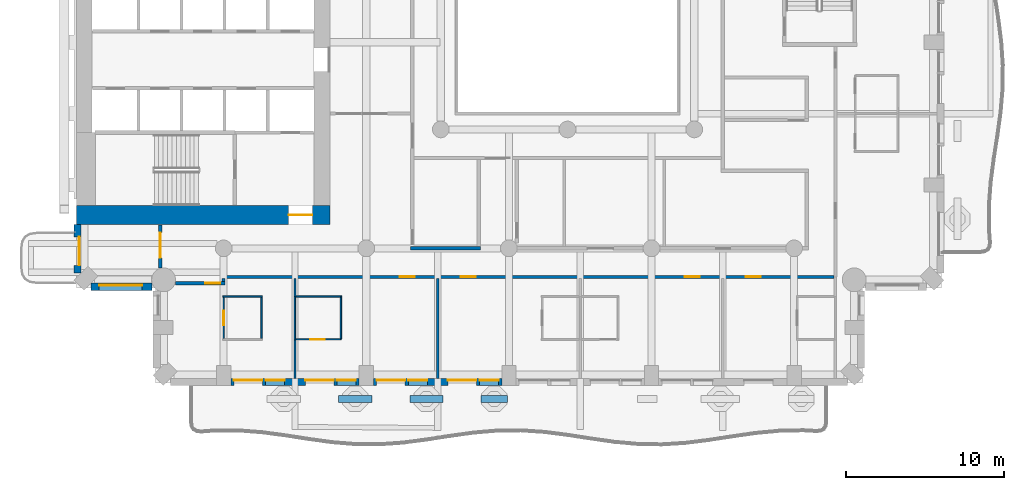
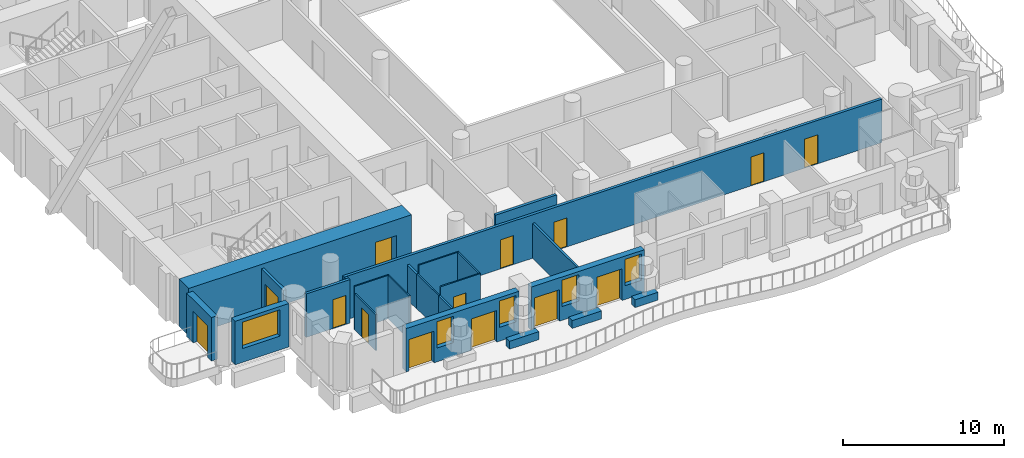
# One storey, part 3 of 21: 23 walls, 14 doors, 5 windows, 19 openings.
"""IFC4 building model written with IfcOpenShell, lengths in metres."""

from ifc_helpers import new_model, si_unit, direction, frame, frame_2d, origin, place, context, subcontext, project, spatial, rectangle, extrude, material, layer, layer_set, type_object, element, fill, save


model = new_model("IFC4")

# Units and contexts
model_context = context("Model", 3, precision=1e-05, world=origin(), true_north=direction((0.0, 1.0)))
body_context = subcontext(model_context, "Body", "Model", "MODEL_VIEW")
ifc_project = project(units=[si_unit("LENGTHUNIT", "METRE"), si_unit("AREAUNIT", "SQUARE_METRE"), si_unit("VOLUMEUNIT", "CUBIC_METRE"), si_unit("PLANEANGLEUNIT", "RADIAN"), si_unit("MASSUNIT", "GRAM", prefix="KILO")], contexts=[model_context])

# Site, building, storey
site_placement = place(None, origin())
site = spatial("IfcSite", under=ifc_project, at=site_placement, CompositionType="ELEMENT")
building_placement = place(site_placement, origin())
building = spatial("IfcBuilding", under=site, at=building_placement, Name="Cypress Arch Tower", CompositionType="ELEMENT")
storey_placement = place(building_placement, frame((0.0, 0.0, 127.5)))
storey = spatial("IfcBuildingStorey", under=building, at=storey_placement, Name="L27", CompositionType="ELEMENT", Elevation=127.5)

# Walls
ifc_material_1 = material(Name="Concrete C40/50, waterproofed", Category="concrete")
ifc_layer_1 = layer(ifc_material_1, 0.449951171875)
ifc_layer_set_1 = layer_set([ifc_layer_1], Name="Balcony planter wall PW450")
wall_type_1 = type_object("IfcWallType", Name="Balcony planter wall PW450", PredefinedType="SOLIDWALL", material=ifc_layer_set_1)
for number, where, z_axis, x_axis, name in (
    (1, (-13.449951171875, -27.0, 0.0), (0.0, 0.0, 1.0), (1.0, 0.0, 0.0), "Balcony planter wall L27-A03.2"),
    (2, (-8.949951171875, -27.0, 0.0), (0.0, 0.0, 1.0), (1.0, 0.0, 0.0), "Balcony planter wall L27-A03.3"),
):
    element("IfcWall", number, at=place(storey_placement, frame(where, z_axis=z_axis, x_axis=x_axis)), inside=storey, type_object=wall_type_1, Name=name, PredefinedType="SOLIDWALL", context=body_context, shape_type="SweptSolid", body=[
        extrude(rectangle(XDim=2.099853515625, YDim=0.449951171875, at=frame_2d((1.0498046875, 0.0))), origin(), (0.0, 0.0, 1.0), 0.60009765625),
    ])
wall_1_placement = place(storey_placement, frame((-4.449951171875, -27.0, 0.0), z_axis=(0.0, 0.0, 1.0), x_axis=(1.0, 0.0, 0.0)))
element("IfcWall", 3, at=wall_1_placement, inside=storey, type_object=wall_type_1, Name="Balcony planter wall L27-A03.4", PredefinedType="SOLIDWALL", context=body_context, shape_type="SweptSolid", body=[
    extrude(rectangle(XDim=1.64990234375, YDim=0.449951171875, at=frame_2d((0.824951171875, 0.0))), origin(), (0.0, 0.0, 1.0), 0.60009765625),
])

# Wall, opening, door
ifc_material_2 = material(Name="Brick (red buff blend)", Category="masonry")
ifc_layer_2 = layer(ifc_material_2, 0.449951171875)
ifc_layer_set_2 = layer_set([ifc_layer_2], Name="Brick pier and spandrel wall BW450")
wall_type_2 = type_object("IfcWallType", Name="Brick pier and spandrel wall BW450", PredefinedType="SOLIDWALL", material=ifc_layer_set_2)
wall_2_placement = place(storey_placement, frame((-29.925048828125, -16.0, 0.0), z_axis=(0.0, 0.0, 1.0), x_axis=(0.0, -1.0, 0.0)))
wall_2 = element("IfcWall", 4, at=wall_2_placement, inside=storey, type_object=wall_type_2, Name="Brick wall L27 A00.0.1", PredefinedType="SOLIDWALL", context=body_context, shape_type="SweptSolid", body=[
    extrude(rectangle(XDim=3.063720703125, YDim=0.449951171875, at=frame_2d((1.53173828125, 0.0))), origin(), (0.0, 0.0, 1.0), 3.300048828125),
])
opening_1_placement = place(wall_2_placement, frame((0.78173828125, 0.0, 0.0)))
opening_1 = element("IfcOpeningElement", 5, at=opening_1_placement, cuts=wall_2, Name="Opening D-L27-A00.0.1.9", PredefinedType="OPENING", context=body_context, shape_type="SweptSolid", body=[
    extrude(rectangle(XDim=1.800048828125, YDim=2.39990234375, at=frame_2d((0.89990234375, 1.199951171875))), frame((0.0, 0.23486328125, 0.0), z_axis=(0.0, -1.0, 0.0), x_axis=(1.0, 0.0, 0.0)), (0.0, 0.0, 1.0), 0.469970703125),
])
ifc_material_3 = material(Name="Anodised aluminium, bronze finish, laminated low-emissivity double glazing, large-missile impact rated", Category="aluminium")
door_type_1 = type_object("IfcDoorType", Name="Balcony sliding door 1800x2400", OperationType="SLIDING_TO_LEFT", PredefinedType="DOOR", material=ifc_material_3)
door_1_placement = place(opening_1_placement, origin())
door_1 = element("IfcDoor", 6, at=door_1_placement, inside=storey, type_object=door_type_1, Name="Balcony door L27 A00.0.1.9", OperationType="SLIDING_TO_LEFT", OverallHeight=2.39990234375, OverallWidth=1.800048828125, PredefinedType="DOOR", context=body_context, shape_type="SweptSolid", body=[
    extrude(rectangle(XDim=1.800048828125, YDim=2.39990234375, at=frame_2d((0.89990234375, 1.199951171875))), frame((0.0, 0.1298828125, 0.0), z_axis=(0.0, -1.0, 0.0), x_axis=(1.0, 0.0, 0.0)), (0.0, 0.0, 1.0), 0.050048828125),
])
fill(opening_1, door_1)

# Wall, opening, window
wall_3_placement = place(storey_placement, frame((-29.063720703125, -19.925048828125, 0.0), z_axis=(0.0, 0.0, 1.0), x_axis=(1.0, 0.0, 0.0)))
wall_3 = element("IfcWall", 7, at=wall_3_placement, inside=storey, type_object=wall_type_2, Name="Brick wall L27 A01.0", PredefinedType="SOLIDWALL", context=body_context, shape_type="SweptSolid", body=[
    extrude(rectangle(XDim=3.856689453125, YDim=0.449951171875, at=frame_2d((1.92822265625, 0.0))), origin(), (0.0, 0.0, 1.0), 3.300048828125),
])
opening_2_placement = place(wall_3_placement, frame((0.513671875, 0.0, 1.050048828125)))
opening_2 = element("IfcOpeningElement", 8, at=opening_2_placement, cuts=wall_3, Name="Opening W270H", PredefinedType="OPENING", context=body_context, shape_type="SweptSolid", body=[
    extrude(rectangle(XDim=2.699951171875, YDim=2.0, at=frame_2d((1.35009765625, 1.0))), frame((0.0, 0.23486328125, 0.0), z_axis=(0.0, -1.0, 0.0), x_axis=(1.0, 0.0, 0.0)), (0.0, 0.0, 1.0), 0.469970703125),
])
ifc_material_4 = material(Name="Anodised aluminium, bronze finish, clear low-emissivity double glazing", Category="aluminium")
window_type_1 = type_object("IfcWindowType", Name="Window Hotel 2700x2000", PartitioningType="SINGLE_PANEL", PredefinedType="WINDOW", material=ifc_material_4)
window_1_placement = place(opening_2_placement, origin())
window_1 = element("IfcWindow", 9, at=window_1_placement, inside=storey, type_object=window_type_1, Name="Window L27 A01.0.1", OverallHeight=2.0, OverallWidth=2.699951171875, PartitioningType="SINGLE_PANEL", PredefinedType="WINDOW", context=body_context, shape_type="SweptSolid", body=[
    extrude(rectangle(XDim=2.699951171875, YDim=2.0, at=frame_2d((1.35009765625, 1.0))), frame((0.0, 0.135009765625, 0.0), z_axis=(0.0, -1.0, 0.0), x_axis=(1.0, 0.0, 0.0)), (0.0, 0.0, 1.0), 0.06005859375),
])
fill(opening_2, window_1)

# Wall, openings, doors, windows
wall_4_placement = place(storey_placement, frame((-20.25, -25.925048828125, 0.0), z_axis=(0.0, 0.0, 1.0), x_axis=(1.0, 0.0, 0.0)))
wall_4 = element("IfcWall", 10, at=wall_4_placement, inside=storey, type_object=wall_type_2, Name="Brick wall L27 A03.1", PredefinedType="SOLIDWALL", context=body_context, shape_type="SweptSolid", body=[
    extrude(rectangle(XDim=8.10009765625, YDim=0.449951171875, at=frame_2d((4.050048828125, 0.0))), origin(), (0.0, 0.0, 1.0), 3.300048828125),
])
opening_3_placement = place(wall_4_placement, frame((0.199951171875, 0.0, 0.0)))
opening_3 = element("IfcOpeningElement", 11, at=opening_3_placement, cuts=wall_4, Name="Opening D-L27-A03.1.1", PredefinedType="OPENING", context=body_context, shape_type="SweptSolid", body=[
    extrude(rectangle(XDim=1.800048828125, YDim=2.39990234375, at=frame_2d((0.89990234375, 1.199951171875))), frame((0.0, 0.23486328125, 0.0), z_axis=(0.0, -1.0, 0.0), x_axis=(1.0, 0.0, 0.0)), (0.0, 0.0, 1.0), 0.469970703125),
])
opening_4_placement = place(wall_4_placement, frame((2.199951171875, 0.0, 1.050048828125)))
opening_4 = element("IfcOpeningElement", 12, at=opening_4_placement, cuts=wall_4, Name="Opening W120HD", PredefinedType="OPENING", context=body_context, shape_type="SweptSolid", body=[
    extrude(rectangle(XDim=1.199951171875, YDim=2.0, at=frame_2d((0.60009765625, 1.0))), frame((0.0, 0.23486328125, 0.0), z_axis=(0.0, -1.0, 0.0), x_axis=(1.0, 0.0, 0.0)), (0.0, 0.0, 1.0), 0.469970703125),
])
opening_5_placement = place(wall_4_placement, frame((4.699951171875, 0.0, 0.0)))
opening_5 = element("IfcOpeningElement", 13, at=opening_5_placement, cuts=wall_4, Name="Opening D-L27-A03.1.2", PredefinedType="OPENING", context=body_context, shape_type="SweptSolid", body=[
    extrude(rectangle(XDim=1.800048828125, YDim=2.39990234375, at=frame_2d((0.89990234375, 1.199951171875))), frame((0.0, 0.23486328125, 0.0), z_axis=(0.0, -1.0, 0.0), x_axis=(1.0, 0.0, 0.0)), (0.0, 0.0, 1.0), 0.469970703125),
])
opening_6_placement = place(wall_4_placement, frame((6.699951171875, 0.0, 1.050048828125)))
opening_6 = element("IfcOpeningElement", 14, at=opening_6_placement, cuts=wall_4, Name="Opening W120HD", PredefinedType="OPENING", context=body_context, shape_type="SweptSolid", body=[
    extrude(rectangle(XDim=1.199951171875, YDim=2.0, at=frame_2d((0.60009765625, 1.0))), frame((0.0, 0.23486328125, 0.0), z_axis=(0.0, -1.0, 0.0), x_axis=(1.0, 0.0, 0.0)), (0.0, 0.0, 1.0), 0.469970703125),
])
door_2_placement = place(opening_3_placement, origin())
door_2 = element("IfcDoor", 15, at=door_2_placement, inside=storey, type_object=door_type_1, Name="Balcony door L27 A03.1.1", OperationType="SLIDING_TO_LEFT", OverallHeight=2.39990234375, OverallWidth=1.800048828125, PredefinedType="DOOR", context=body_context, shape_type="SweptSolid", body=[
    extrude(rectangle(XDim=1.800048828125, YDim=2.39990234375, at=frame_2d((0.89990234375, 1.199951171875))), frame((0.0, 0.1298828125, 0.0), z_axis=(0.0, -1.0, 0.0), x_axis=(1.0, 0.0, 0.0)), (0.0, 0.0, 1.0), 0.050048828125),
])
fill(opening_3, door_2)
door_3_placement = place(opening_5_placement, origin())
door_3 = element("IfcDoor", 16, at=door_3_placement, inside=storey, type_object=door_type_1, Name="Balcony door L27 A03.1.2", OperationType="SLIDING_TO_LEFT", OverallHeight=2.39990234375, OverallWidth=1.800048828125, PredefinedType="DOOR", context=body_context, shape_type="SweptSolid", body=[
    extrude(rectangle(XDim=1.800048828125, YDim=2.39990234375, at=frame_2d((0.89990234375, 1.199951171875))), frame((0.0, 0.1298828125, 0.0), z_axis=(0.0, -1.0, 0.0), x_axis=(1.0, 0.0, 0.0)), (0.0, 0.0, 1.0), 0.050048828125),
])
fill(opening_5, door_3)
ifc_material_5 = material(Name="Anodised aluminium, bronze finish, laminated low-emissivity double glazing, large-missile impact rated", Category="aluminium")
window_type_2 = type_object("IfcWindowType", Name="Window Hotel 1200x2000 debris-rated", PartitioningType="SINGLE_PANEL", PredefinedType="WINDOW", material=ifc_material_5)
window_2_placement = place(opening_4_placement, origin())
window_2 = element("IfcWindow", 17, at=window_2_placement, inside=storey, type_object=window_type_2, Name="Window L27 A03.1.1", OverallHeight=2.0, OverallWidth=1.199951171875, PartitioningType="SINGLE_PANEL", PredefinedType="WINDOW", context=body_context, shape_type="SweptSolid", body=[
    extrude(rectangle(XDim=1.199951171875, YDim=2.0, at=frame_2d((0.60009765625, 1.0))), frame((0.0, 0.135009765625, 0.0), z_axis=(0.0, -1.0, 0.0), x_axis=(1.0, 0.0, 0.0)), (0.0, 0.0, 1.0), 0.06005859375),
])
fill(opening_4, window_2)
window_3_placement = place(opening_6_placement, origin())
window_3 = element("IfcWindow", 18, at=window_3_placement, inside=storey, type_object=window_type_2, Name="Window L27 A03.1.2", OverallHeight=2.0, OverallWidth=1.199951171875, PartitioningType="SINGLE_PANEL", PredefinedType="WINDOW", context=body_context, shape_type="SweptSolid", body=[
    extrude(rectangle(XDim=1.199951171875, YDim=2.0, at=frame_2d((0.60009765625, 1.0))), frame((0.0, 0.135009765625, 0.0), z_axis=(0.0, -1.0, 0.0), x_axis=(1.0, 0.0, 0.0)), (0.0, 0.0, 1.0), 0.06005859375),
])
fill(opening_6, window_3)

wall_5_placement = place(storey_placement, frame((-11.25, -25.925048828125, 0.0), z_axis=(0.0, 0.0, 1.0), x_axis=(1.0, 0.0, 0.0)))
wall_5 = element("IfcWall", 19, at=wall_5_placement, inside=storey, type_object=wall_type_2, Name="Brick wall L27 A03.2", PredefinedType="SOLIDWALL", context=body_context, shape_type="SweptSolid", body=[
    extrude(rectangle(XDim=8.10009765625, YDim=0.449951171875, at=frame_2d((4.050048828125, 0.0))), origin(), (0.0, 0.0, 1.0), 3.300048828125),
])
opening_7_placement = place(wall_5_placement, frame((0.199951171875, 0.0, 0.0)))
opening_7 = element("IfcOpeningElement", 20, at=opening_7_placement, cuts=wall_5, Name="Opening D-L27-A03.2.1", PredefinedType="OPENING", context=body_context, shape_type="SweptSolid", body=[
    extrude(rectangle(XDim=1.800048828125, YDim=2.39990234375, at=frame_2d((0.89990234375, 1.199951171875))), frame((0.0, 0.23486328125, 0.0), z_axis=(0.0, -1.0, 0.0), x_axis=(1.0, 0.0, 0.0)), (0.0, 0.0, 1.0), 0.469970703125),
])
opening_8_placement = place(wall_5_placement, frame((2.199951171875, 0.0, 1.050048828125)))
opening_8 = element("IfcOpeningElement", 21, at=opening_8_placement, cuts=wall_5, Name="Opening W120HD", PredefinedType="OPENING", context=body_context, shape_type="SweptSolid", body=[
    extrude(rectangle(XDim=1.199951171875, YDim=2.0, at=frame_2d((0.60009765625, 1.0))), frame((0.0, 0.23486328125, 0.0), z_axis=(0.0, -1.0, 0.0), x_axis=(1.0, 0.0, 0.0)), (0.0, 0.0, 1.0), 0.469970703125),
])
opening_9_placement = place(wall_5_placement, frame((4.699951171875, 0.0, 0.0)))
opening_9 = element("IfcOpeningElement", 22, at=opening_9_placement, cuts=wall_5, Name="Opening D-L27-A03.2.2", PredefinedType="OPENING", context=body_context, shape_type="SweptSolid", body=[
    extrude(rectangle(XDim=1.800048828125, YDim=2.39990234375, at=frame_2d((0.89990234375, 1.199951171875))), frame((0.0, 0.23486328125, 0.0), z_axis=(0.0, -1.0, 0.0), x_axis=(1.0, 0.0, 0.0)), (0.0, 0.0, 1.0), 0.469970703125),
])
opening_10_placement = place(wall_5_placement, frame((6.699951171875, 0.0, 1.050048828125)))
opening_10 = element("IfcOpeningElement", 23, at=opening_10_placement, cuts=wall_5, Name="Opening W120HD", PredefinedType="OPENING", context=body_context, shape_type="SweptSolid", body=[
    extrude(rectangle(XDim=1.199951171875, YDim=2.0, at=frame_2d((0.60009765625, 1.0))), frame((0.0, 0.23486328125, 0.0), z_axis=(0.0, -1.0, 0.0), x_axis=(1.0, 0.0, 0.0)), (0.0, 0.0, 1.0), 0.469970703125),
])
door_4_placement = place(opening_7_placement, origin())
door_4 = element("IfcDoor", 24, at=door_4_placement, inside=storey, type_object=door_type_1, Name="Balcony door L27 A03.2.1", OperationType="SLIDING_TO_LEFT", OverallHeight=2.39990234375, OverallWidth=1.800048828125, PredefinedType="DOOR", context=body_context, shape_type="SweptSolid", body=[
    extrude(rectangle(XDim=1.800048828125, YDim=2.39990234375, at=frame_2d((0.89990234375, 1.199951171875))), frame((0.0, 0.1298828125, 0.0), z_axis=(0.0, -1.0, 0.0), x_axis=(1.0, 0.0, 0.0)), (0.0, 0.0, 1.0), 0.050048828125),
])
fill(opening_7, door_4)
door_5_placement = place(opening_9_placement, origin())
door_5 = element("IfcDoor", 25, at=door_5_placement, inside=storey, type_object=door_type_1, Name="Balcony door L27 A03.2.2", OperationType="SLIDING_TO_LEFT", OverallHeight=2.39990234375, OverallWidth=1.800048828125, PredefinedType="DOOR", context=body_context, shape_type="SweptSolid", body=[
    extrude(rectangle(XDim=1.800048828125, YDim=2.39990234375, at=frame_2d((0.89990234375, 1.199951171875))), frame((0.0, 0.1298828125, 0.0), z_axis=(0.0, -1.0, 0.0), x_axis=(1.0, 0.0, 0.0)), (0.0, 0.0, 1.0), 0.050048828125),
])
fill(opening_9, door_5)
window_4_placement = place(opening_8_placement, origin())
window_4 = element("IfcWindow", 26, at=window_4_placement, inside=storey, type_object=window_type_2, Name="Window L27 A03.2.1", OverallHeight=2.0, OverallWidth=1.199951171875, PartitioningType="SINGLE_PANEL", PredefinedType="WINDOW", context=body_context, shape_type="SweptSolid", body=[
    extrude(rectangle(XDim=1.199951171875, YDim=2.0, at=frame_2d((0.60009765625, 1.0))), frame((0.0, 0.135009765625, 0.0), z_axis=(0.0, -1.0, 0.0), x_axis=(1.0, 0.0, 0.0)), (0.0, 0.0, 1.0), 0.06005859375),
])
fill(opening_8, window_4)
window_5_placement = place(opening_10_placement, origin())
window_5 = element("IfcWindow", 27, at=window_5_placement, inside=storey, type_object=window_type_2, Name="Window L27 A03.2.2", OverallHeight=2.0, OverallWidth=1.199951171875, PartitioningType="SINGLE_PANEL", PredefinedType="WINDOW", context=body_context, shape_type="SweptSolid", body=[
    extrude(rectangle(XDim=1.199951171875, YDim=2.0, at=frame_2d((0.60009765625, 1.0))), frame((0.0, 0.135009765625, 0.0), z_axis=(0.0, -1.0, 0.0), x_axis=(1.0, 0.0, 0.0)), (0.0, 0.0, 1.0), 0.06005859375),
])
fill(opening_10, window_5)

# Wall, opening, door
ifc_material_6 = material(Name="Concrete C80/95", Category="concrete")
ifc_layer_3 = layer(ifc_material_6, 1.199951171875)
ifc_layer_set_3 = layer_set([ifc_layer_3], Name="Core wall CW1200 C80/95")
wall_type_3 = type_object("IfcWallType", Name="Core wall CW1200 C80/95", PredefinedType="SHEAR", material=ifc_layer_set_3)
wall_6_placement = place(storey_placement, frame((-30.0, -15.39990234375, 0.0), z_axis=(0.0, 0.0, 1.0), x_axis=(1.0, 0.0, 0.0)))
wall_6 = element("IfcWall", 28, at=wall_6_placement, inside=storey, type_object=wall_type_3, Name="Core wall", PredefinedType="SHEAR", context=body_context, shape_type="SweptSolid", body=[
    extrude(rectangle(XDim=16.0, YDim=1.199951171875, at=frame_2d((8.0, 0.0))), origin(), (0.0, 0.0, 1.0), 3.60009765625),
])
opening_11_placement = place(wall_6_placement, frame((13.39990234375, 0.0, 0.0)))
opening_11 = element("IfcOpeningElement", 29, at=opening_11_placement, cuts=wall_6, Name="Opening D07", PredefinedType="OPENING", context=body_context, shape_type="SweptSolid", body=[
    extrude(rectangle(XDim=1.5, YDim=2.39990234375, at=frame_2d((0.75, 1.199951171875))), frame((0.0, 0.60986328125, 0.0), z_axis=(0.0, -1.0, 0.0), x_axis=(1.0, 0.0, 0.0)), (0.0, 0.0, 1.0), 1.219970703125),
])
ifc_material_7 = material(Name="Steel framed glazed door, fire resisting", Category="steel")
door_type_2 = type_object("IfcDoorType", Name="Lobby door D07 1500x2400", OperationType="DOUBLE_DOOR_SINGLE_SWING", PredefinedType="DOOR", material=ifc_material_7)
door_6_placement = place(opening_11_placement, origin())
door_6 = element("IfcDoor", 30, at=door_6_placement, inside=storey, type_object=door_type_2, Name="Lobby door", OperationType="DOUBLE_DOOR_SINGLE_SWING", OverallHeight=2.39990234375, OverallWidth=1.5, PredefinedType="DOOR", context=body_context, shape_type="SweptSolid", body=[
    extrude(rectangle(XDim=1.5, YDim=2.39990234375, at=frame_2d((0.75, 1.199951171875))), frame((0.0, 0.02490234375, 0.0), z_axis=(0.0, -1.0, 0.0), x_axis=(1.0, 0.0, 0.0)), (0.0, 0.0, 1.0), 0.050048828125),
])
fill(opening_11, door_6)

ifc_material_8 = material(Name="Concrete blockwork, plastered, rated", Category="masonry")
ifc_layer_4 = layer(ifc_material_8, 0.199951171875)
ifc_layer_set_4 = layer_set([ifc_layer_4], Name="Corridor wall FW200")
wall_type_4 = type_object("IfcWallType", Name="Corridor wall FW200", PredefinedType="PARTITIONING", material=ifc_layer_set_4)
wall_7_placement = place(storey_placement, frame((-24.699951171875, -18.752197265625, 0.0), z_axis=(0.0, 0.0, 1.0), x_axis=(0.0, 1.0, 0.0)))
wall_7 = element("IfcWall", 31, at=wall_7_placement, inside=storey, type_object=wall_type_4, Name="Corridor wall", PredefinedType="PARTITIONING", context=body_context, shape_type="SweptSolid", body=[
    extrude(rectangle(XDim=2.72216796875, YDim=0.199951171875, at=frame_2d((1.361083984375, 0.0))), origin(), (0.0, 0.0, 1.0), 3.300048828125),
])
opening_12_placement = place(wall_7_placement, frame((0.64990234375, 0.0, 0.0)))
opening_12 = element("IfcOpeningElement", 32, at=opening_12_placement, cuts=wall_7, Name="Opening D10", PredefinedType="OPENING", context=body_context, shape_type="SweptSolid", body=[
    extrude(rectangle(XDim=1.60009765625, YDim=2.39990234375, at=frame_2d((0.800048828125, 1.199951171875))), frame((0.0, 0.10986328125, 0.0), z_axis=(0.0, -1.0, 0.0), x_axis=(1.0, 0.0, 0.0)), (0.0, 0.0, 1.0), 0.219970703125),
])
ifc_material_9 = material(Name="Black aluminium glazed door", Category="aluminium")
door_type_3 = type_object("IfcDoorType", Name="Amenity door D10 1600x2400", OperationType="DOUBLE_DOOR_SINGLE_SWING", PredefinedType="DOOR", material=ifc_material_9)
door_7_placement = place(opening_12_placement, origin())
door_7 = element("IfcDoor", 33, at=door_7_placement, inside=storey, type_object=door_type_3, Name="Amenity door", OperationType="DOUBLE_DOOR_SINGLE_SWING", OverallHeight=2.39990234375, OverallWidth=1.60009765625, PredefinedType="DOOR", context=body_context, shape_type="SweptSolid", body=[
    extrude(rectangle(XDim=1.60009765625, YDim=2.39990234375, at=frame_2d((0.800048828125, 1.199951171875))), frame((0.0, 0.02490234375, 0.0), z_axis=(0.0, -1.0, 0.0), x_axis=(1.0, 0.0, 0.0)), (0.0, 0.0, 1.0), 0.050048828125),
])
fill(opening_12, door_7)

wall_8_placement = place(storey_placement, frame((-23.752197265625, -19.699951171875, 0.0), z_axis=(0.0, 0.0, 1.0), x_axis=(1.0, 0.0, 0.0)))
wall_8 = element("IfcWall", 34, at=wall_8_placement, inside=storey, type_object=wall_type_4, Name="Corridor wall", PredefinedType="PARTITIONING", context=body_context, shape_type="SweptSolid", body=[
    extrude(rectangle(XDim=3.152099609375, YDim=0.199951171875, at=frame_2d((1.576171875, 0.0))), origin(), (0.0, 0.0, 1.0), 3.300048828125),
])
opening_13_placement = place(wall_8_placement, frame((1.89990234375, 0.0, 0.0)))
opening_13 = element("IfcOpeningElement", 35, at=opening_13_placement, cuts=wall_8, Name="Opening D02", PredefinedType="OPENING", context=body_context, shape_type="SweptSolid", body=[
    extrude(rectangle(XDim=0.949951171875, YDim=2.199951171875, at=frame_2d((0.47509765625, 1.10009765625))), frame((0.0, 0.10986328125, 0.0), z_axis=(0.0, -1.0, 0.0), x_axis=(1.0, 0.0, 0.0)), (0.0, 0.0, 1.0), 0.219970703125),
])
ifc_material_10 = material(Name="Timber flush door, fire resisting", Category="wood")
door_type_4 = type_object("IfcDoorType", Name="Room door D02 950x2200", OperationType="SINGLE_SWING_LEFT", PredefinedType="DOOR", material=ifc_material_10)
door_8_placement = place(opening_13_placement, origin())
door_8 = element("IfcDoor", 36, at=door_8_placement, inside=storey, type_object=door_type_4, Name="Room door", OperationType="SINGLE_SWING_RIGHT", OverallHeight=2.199951171875, OverallWidth=0.949951171875, PredefinedType="DOOR", context=body_context, shape_type="SweptSolid", body=[
    extrude(rectangle(XDim=0.949951171875, YDim=2.199951171875, at=frame_2d((0.47509765625, 1.10009765625))), frame((0.0, 0.02490234375, 0.0), z_axis=(0.0, -1.0, 0.0), x_axis=(1.0, 0.0, 0.0)), (0.0, 0.0, 1.0), 0.050048828125),
])
fill(opening_13, door_8)

# Wall
wall_9_placement = place(storey_placement, frame((-20.699951171875, -19.60009765625, 0.0), z_axis=(0.0, 0.0, 1.0), x_axis=(0.0, 1.0, 0.0)))
element("IfcWall", 37, at=wall_9_placement, inside=storey, type_object=wall_type_4, Name="Corridor wall", PredefinedType="PARTITIONING", context=body_context, shape_type="SweptSolid", body=[
    extrude(rectangle(XDim=0.2001953125, YDim=0.199951171875, at=frame_2d((0.10009765625, 0.0))), origin(), (0.0, 0.0, 1.0), 3.300048828125),
])

# Wall, openings, doors
wall_10_placement = place(storey_placement, frame((-20.800048828125, -19.300048828125, 0.0), z_axis=(0.0, 0.0, 1.0), x_axis=(1.0, 0.0, 0.0)))
wall_10 = element("IfcWall", 38, at=wall_10_placement, inside=storey, type_object=wall_type_4, Name="Corridor wall", PredefinedType="PARTITIONING", context=body_context, shape_type="SweptSolid", body=[
    extrude(rectangle(XDim=38.60009765625, YDim=0.199951171875, at=frame_2d((19.300048828125, 0.0))), origin(), (0.0, 0.0, 1.0), 3.300048828125),
])
opening_14_placement = place(wall_10_placement, frame((11.199951171875, 0.0, 0.0)))
opening_14 = element("IfcOpeningElement", 39, at=opening_14_placement, cuts=wall_10, Name="Opening D02", PredefinedType="OPENING", context=body_context, shape_type="SweptSolid", body=[
    extrude(rectangle(XDim=0.949951171875, YDim=2.199951171875, at=frame_2d((0.47509765625, 1.10009765625))), frame((0.0, 0.10986328125, 0.0), z_axis=(0.0, -1.0, 0.0), x_axis=(1.0, 0.0, 0.0)), (0.0, 0.0, 1.0), 0.219970703125),
])
opening_15_placement = place(wall_10_placement, frame((15.050048828125, 0.0, 0.0)))
opening_15 = element("IfcOpeningElement", 40, at=opening_15_placement, cuts=wall_10, Name="Opening D02", PredefinedType="OPENING", context=body_context, shape_type="SweptSolid", body=[
    extrude(rectangle(XDim=0.949951171875, YDim=2.199951171875, at=frame_2d((0.47509765625, 1.10009765625))), frame((0.0, 0.10986328125, 0.0), z_axis=(0.0, -1.0, 0.0), x_axis=(1.0, 0.0, 0.0)), (0.0, 0.0, 1.0), 0.219970703125),
])
opening_16_placement = place(wall_10_placement, frame((29.199951171875, 0.0, 0.0)))
opening_16 = element("IfcOpeningElement", 41, at=opening_16_placement, cuts=wall_10, Name="Opening D02", PredefinedType="OPENING", context=body_context, shape_type="SweptSolid", body=[
    extrude(rectangle(XDim=0.949951171875, YDim=2.199951171875, at=frame_2d((0.47509765625, 1.10009765625))), frame((0.0, 0.10986328125, 0.0), z_axis=(0.0, -1.0, 0.0), x_axis=(1.0, 0.0, 0.0)), (0.0, 0.0, 1.0), 0.219970703125),
])
opening_17_placement = place(wall_10_placement, frame((33.050048828125, 0.0, 0.0)))
opening_17 = element("IfcOpeningElement", 42, at=opening_17_placement, cuts=wall_10, Name="Opening D02", PredefinedType="OPENING", context=body_context, shape_type="SweptSolid", body=[
    extrude(rectangle(XDim=0.949951171875, YDim=2.199951171875, at=frame_2d((0.47509765625, 1.10009765625))), frame((0.0, 0.10986328125, 0.0), z_axis=(0.0, -1.0, 0.0), x_axis=(1.0, 0.0, 0.0)), (0.0, 0.0, 1.0), 0.219970703125),
])
door_9_placement = place(opening_14_placement, origin())
door_9 = element("IfcDoor", 43, at=door_9_placement, inside=storey, type_object=door_type_4, Name="Room door", OperationType="SINGLE_SWING_LEFT", OverallHeight=2.199951171875, OverallWidth=0.949951171875, PredefinedType="DOOR", context=body_context, shape_type="SweptSolid", body=[
    extrude(rectangle(XDim=0.949951171875, YDim=2.199951171875, at=frame_2d((0.47509765625, 1.10009765625))), frame((0.0, 0.02490234375, 0.0), z_axis=(0.0, -1.0, 0.0), x_axis=(1.0, 0.0, 0.0)), (0.0, 0.0, 1.0), 0.050048828125),
])
fill(opening_14, door_9)
door_10_placement = place(opening_15_placement, origin())
door_10 = element("IfcDoor", 44, at=door_10_placement, inside=storey, type_object=door_type_4, Name="Room door", OperationType="SINGLE_SWING_RIGHT", OverallHeight=2.199951171875, OverallWidth=0.949951171875, PredefinedType="DOOR", context=body_context, shape_type="SweptSolid", body=[
    extrude(rectangle(XDim=0.949951171875, YDim=2.199951171875, at=frame_2d((0.47509765625, 1.10009765625))), frame((0.0, 0.02490234375, 0.0), z_axis=(0.0, -1.0, 0.0), x_axis=(1.0, 0.0, 0.0)), (0.0, 0.0, 1.0), 0.050048828125),
])
fill(opening_15, door_10)
door_11_placement = place(opening_16_placement, origin())
door_11 = element("IfcDoor", 45, at=door_11_placement, inside=storey, type_object=door_type_4, Name="Room door", OperationType="SINGLE_SWING_LEFT", OverallHeight=2.199951171875, OverallWidth=0.949951171875, PredefinedType="DOOR", context=body_context, shape_type="SweptSolid", body=[
    extrude(rectangle(XDim=0.949951171875, YDim=2.199951171875, at=frame_2d((0.47509765625, 1.10009765625))), frame((0.0, 0.02490234375, 0.0), z_axis=(0.0, -1.0, 0.0), x_axis=(1.0, 0.0, 0.0)), (0.0, 0.0, 1.0), 0.050048828125),
])
fill(opening_16, door_11)
door_12_placement = place(opening_17_placement, origin())
door_12 = element("IfcDoor", 46, at=door_12_placement, inside=storey, type_object=door_type_4, Name="Room door", OperationType="SINGLE_SWING_RIGHT", OverallHeight=2.199951171875, OverallWidth=0.949951171875, PredefinedType="DOOR", context=body_context, shape_type="SweptSolid", body=[
    extrude(rectangle(XDim=0.949951171875, YDim=2.199951171875, at=frame_2d((0.47509765625, 1.10009765625))), frame((0.0, 0.02490234375, 0.0), z_axis=(0.0, -1.0, 0.0), x_axis=(1.0, 0.0, 0.0)), (0.0, 0.0, 1.0), 0.050048828125),
])
fill(opening_17, door_12)

# Walls
wall_11_placement = place(storey_placement, frame((-8.89990234375, -17.5, 0.0), z_axis=(0.0, 0.0, 1.0), x_axis=(1.0, 0.0, 0.0)))
element("IfcWall", 47, at=wall_11_placement, inside=storey, type_object=wall_type_4, Name="Corridor wall", PredefinedType="PARTITIONING", context=body_context, shape_type="SweptSolid", body=[
    extrude(rectangle(XDim=4.39990234375, YDim=0.199951171875, at=frame_2d((2.199951171875, 0.0))), origin(), (0.0, 0.0, 1.0), 2.75),
])
ifc_material_11 = material(Name="Blockwork, plastered both sides", Category="masonry")
ifc_layer_5 = layer(ifc_material_11, 0.14990234375)
ifc_layer_set_5 = layer_set([ifc_layer_5], Name="Partition PW150")
wall_type_5 = type_object("IfcWallType", Name="Partition PW150", PredefinedType="PARTITIONING", material=ifc_layer_set_5)
wall_12_placement = place(storey_placement, frame((-16.199951171875, -25.699951171875, 0.0), z_axis=(0.0, 0.0, 1.0), x_axis=(0.0, 1.0, 0.0)))
element("IfcWall", 48, at=wall_12_placement, inside=storey, type_object=wall_type_5, Name="Partition", PredefinedType="PARTITIONING", context=body_context, shape_type="SweptSolid", body=[
    extrude(rectangle(XDim=2.429931640625, YDim=0.14990234375, at=frame_2d((1.21484375, 0.0))), origin(), (0.0, 0.0, 1.0), 2.64990234375),
])
wall_13_placement = place(storey_placement, frame((-16.199951171875, -20.530029296875, 0.0), z_axis=(0.0, 0.0, 1.0), x_axis=(0.0, 1.0, 0.0)))
element("IfcWall", 49, at=wall_13_placement, inside=storey, type_object=wall_type_5, Name="Partition", PredefinedType="PARTITIONING", context=body_context, shape_type="SweptSolid", body=[
    extrude(rectangle(XDim=1.130126953125, YDim=0.14990234375, at=frame_2d((0.56494140625, 0.0))), origin(), (0.0, 0.0, 1.0), 2.64990234375),
])
wall_14_placement = place(storey_placement, frame((-7.199951171875, -25.699951171875, 0.0), z_axis=(0.0, 0.0, 1.0), x_axis=(0.0, 1.0, 0.0)))
element("IfcWall", 50, at=wall_14_placement, inside=storey, type_object=wall_type_5, Name="Partition", PredefinedType="PARTITIONING", context=body_context, shape_type="SweptSolid", body=[
    extrude(rectangle(XDim=6.300048828125, YDim=0.14990234375, at=frame_2d((3.14990234375, 0.0))), origin(), (0.0, 0.0, 1.0), 2.64990234375),
])

# Wall, opening, door
ifc_material_12 = material(Name="Moisture resistant board on steel studs, tiled", Category="steel")
ifc_layer_6 = layer(ifc_material_12, 0.10009765625)
ifc_layer_set_6 = layer_set([ifc_layer_6], Name="Wet wall PW100")
wall_type_6 = type_object("IfcWallType", Name="Wet wall PW100", PredefinedType="PARTITIONING", material=ifc_layer_set_6)
wall_15_placement = place(storey_placement, frame((-20.699951171875, -23.199951171875, 0.0), z_axis=(0.0, 0.0, 1.0), x_axis=(0.0, 1.0, 0.0)))
wall_15 = element("IfcWall", 51, at=wall_15_placement, inside=storey, type_object=wall_type_6, Name="Wet wall", PredefinedType="PARTITIONING", context=body_context, shape_type="SweptSolid", body=[
    extrude(rectangle(XDim=2.599853515625, YDim=0.10009765625, at=frame_2d((1.2998046875, 0.0))), origin(), (0.0, 0.0, 1.0), 2.75),
])
opening_18_placement = place(wall_15_placement, frame((0.85009765625, 0.0, 0.0)))
opening_18 = element("IfcOpeningElement", 52, at=opening_18_placement, cuts=wall_15, Name="Opening D03", PredefinedType="OPENING", context=body_context, shape_type="SweptSolid", body=[
    extrude(rectangle(XDim=0.89990234375, YDim=2.199951171875, at=frame_2d((0.449951171875, 1.10009765625))), frame((0.0, 0.06005859375, 0.0), z_axis=(0.0, -1.0, 0.0), x_axis=(1.0, 0.0, 0.0)), (0.0, 0.0, 1.0), 0.1201171875),
])
ifc_material_13 = material(Name="Timber flush door, moisture resistant", Category="wood")
door_type_5 = type_object("IfcDoorType", Name="Bathroom door D03 900x2200", OperationType="SINGLE_SWING_LEFT", PredefinedType="DOOR", material=ifc_material_13)
door_13_placement = place(opening_18_placement, origin())
door_13 = element("IfcDoor", 53, at=door_13_placement, inside=storey, type_object=door_type_5, Name="Bathroom door", OperationType="SINGLE_SWING_LEFT", OverallHeight=2.199951171875, OverallWidth=0.89990234375, PredefinedType="DOOR", context=body_context, shape_type="SweptSolid", body=[
    extrude(rectangle(XDim=0.89990234375, YDim=2.199951171875, at=frame_2d((0.449951171875, 1.10009765625))), frame((0.0, 0.02490234375, 0.0), z_axis=(0.0, -1.0, 0.0), x_axis=(1.0, 0.0, 0.0)), (0.0, 0.0, 1.0), 0.050048828125),
])
fill(opening_18, door_13)

# Walls
wall_16_placement = place(storey_placement, frame((-20.75, -20.550048828125, 0.0), z_axis=(0.0, 0.0, 1.0), x_axis=(1.0, 0.0, 0.0)))
element("IfcWall", 54, at=wall_16_placement, inside=storey, type_object=wall_type_6, Name="Wet wall", PredefinedType="PARTITIONING", context=body_context, shape_type="SweptSolid", body=[
    extrude(rectangle(XDim=2.5, YDim=0.10009765625, at=frame_2d((1.25, 0.0))), origin(), (0.0, 0.0, 1.0), 3.300048828125),
])
wall_17_placement = place(storey_placement, frame((-18.300048828125, -23.199951171875, 0.0), z_axis=(0.0, 0.0, 1.0), x_axis=(0.0, 1.0, 0.0)))
element("IfcWall", 55, at=wall_17_placement, inside=storey, type_object=wall_type_6, Name="Wet wall", PredefinedType="PARTITIONING", context=body_context, shape_type="SweptSolid", body=[
    extrude(rectangle(XDim=2.599853515625, YDim=0.10009765625, at=frame_2d((1.2998046875, 0.0))), origin(), (0.0, 0.0, 1.0), 3.300048828125),
])
wall_18_placement = place(storey_placement, frame((-16.199951171875, -23.27001953125, 0.0), z_axis=(0.0, 0.0, 1.0), x_axis=(0.0, 1.0, 0.0)))
element("IfcWall", 56, at=wall_18_placement, inside=storey, type_object=wall_type_6, Name="Wet wall", PredefinedType="PARTITIONING", context=body_context, shape_type="SweptSolid", body=[
    extrude(rectangle(XDim=2.739990234375, YDim=0.10009765625, at=frame_2d((1.3701171875, 0.0))), origin(), (0.0, 0.0, 1.0), 2.64990234375),
])

# Wall, opening, door
wall_19_placement = place(storey_placement, frame((-16.125, -23.25, 0.0), z_axis=(0.0, 0.0, 1.0), x_axis=(1.0, 0.0, 0.0)))
wall_19 = element("IfcWall", 57, at=wall_19_placement, inside=storey, type_object=wall_type_6, Name="Wet wall", PredefinedType="PARTITIONING", context=body_context, shape_type="SweptSolid", body=[
    extrude(rectangle(XDim=2.87109375, YDim=0.10009765625, at=frame_2d((1.435546875, 0.0))), origin(), (0.0, 0.0, 1.0), 3.300048828125),
])
opening_19_placement = place(wall_19_placement, frame((0.89990234375, 0.0, 0.0)))
opening_19 = element("IfcOpeningElement", 58, at=opening_19_placement, cuts=wall_19, Name="Opening D03", PredefinedType="OPENING", context=body_context, shape_type="SweptSolid", body=[
    extrude(rectangle(XDim=0.89990234375, YDim=2.199951171875, at=frame_2d((0.449951171875, 1.10009765625))), frame((0.0, 0.06005859375, 0.0), z_axis=(0.0, -1.0, 0.0), x_axis=(1.0, 0.0, 0.0)), (0.0, 0.0, 1.0), 0.1201171875),
])
door_14_placement = place(opening_19_placement, origin())
door_14 = element("IfcDoor", 59, at=door_14_placement, inside=storey, type_object=door_type_5, Name="Bathroom door", OperationType="SINGLE_SWING_LEFT", OverallHeight=2.199951171875, OverallWidth=0.89990234375, PredefinedType="DOOR", context=body_context, shape_type="SweptSolid", body=[
    extrude(rectangle(XDim=0.89990234375, YDim=2.199951171875, at=frame_2d((0.449951171875, 1.10009765625))), frame((0.0, 0.02490234375, 0.0), z_axis=(0.0, -1.0, 0.0), x_axis=(1.0, 0.0, 0.0)), (0.0, 0.0, 1.0), 0.050048828125),
])
fill(opening_19, door_14)

# Walls
wall_20_placement = place(storey_placement, frame((-16.125, -20.550048828125, 0.0), z_axis=(0.0, 0.0, 1.0), x_axis=(1.0, 0.0, 0.0)))
element("IfcWall", 60, at=wall_20_placement, inside=storey, type_object=wall_type_6, Name="Wet wall", PredefinedType="PARTITIONING", context=body_context, shape_type="SweptSolid", body=[
    extrude(rectangle(XDim=2.87109375, YDim=0.10009765625, at=frame_2d((1.435546875, 0.0))), origin(), (0.0, 0.0, 1.0), 3.300048828125),
])
wall_21_placement = place(storey_placement, frame((-13.303955078125, -23.199951171875, 0.0), z_axis=(0.0, 0.0, 1.0), x_axis=(0.0, 1.0, 0.0)))
element("IfcWall", 61, at=wall_21_placement, inside=storey, type_object=wall_type_6, Name="Wet wall", PredefinedType="PARTITIONING", context=body_context, shape_type="SweptSolid", body=[
    extrude(rectangle(XDim=2.599853515625, YDim=0.10009765625, at=frame_2d((1.2998046875, 0.0))), origin(), (0.0, 0.0, 1.0), 3.300048828125),
])

save(model, "model.ifc")
